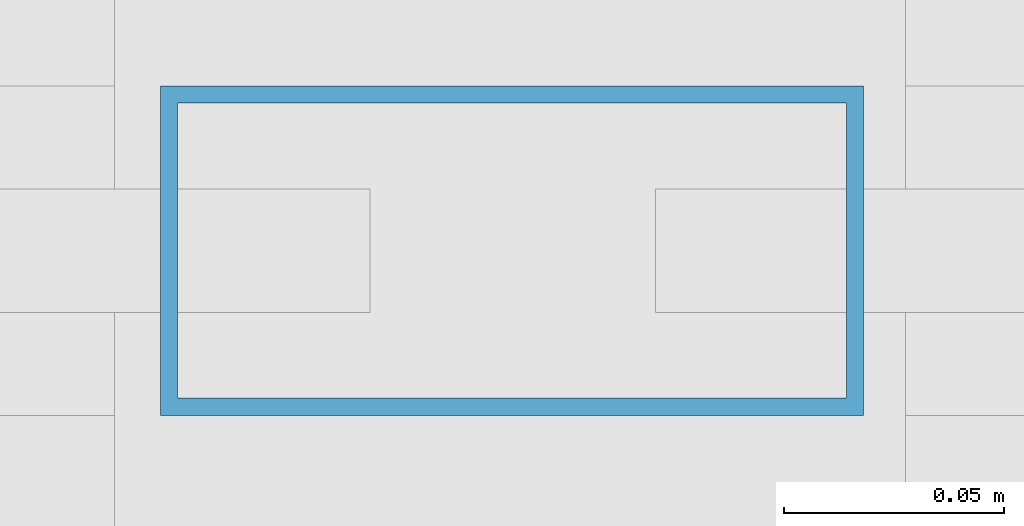
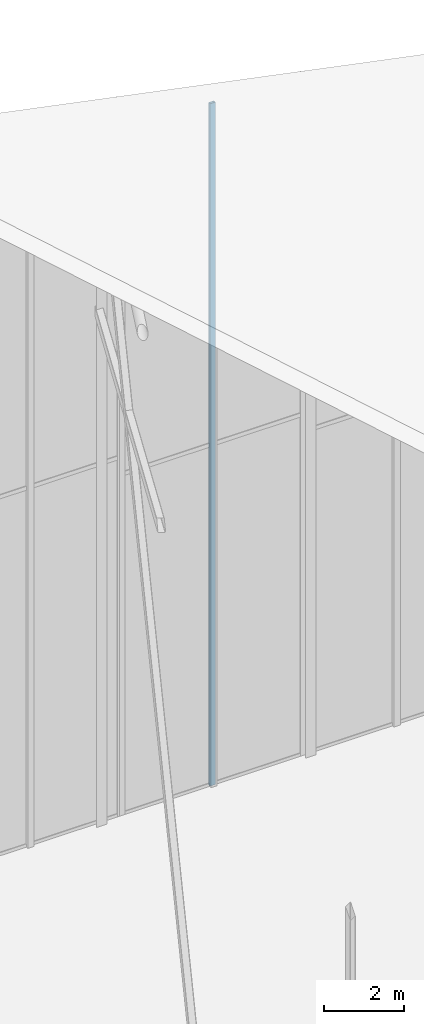
# One storey, part 50 of 74: 1 member, 1 element without a shape of its own.
"""IFC4 building model written with IfcOpenShell, lengths in metres."""

from ifc_helpers import new_model, si_unit, direction, frame, origin, origin_2d, place, context, subcontext, project, spatial, hollow_rectangle, extrude, material, layer, layer_set, material_profile, profile_set, type_object, element, aggregate, save


model = new_model("IFC4")

# Units and contexts
model_context = context("Model", 3, precision=1e-05, world=origin(), true_north=direction((0.0, 1.0)))
body_context = subcontext(model_context, "Body", "Model", "MODEL_VIEW")
ifc_project = project(units=[si_unit("LENGTHUNIT", "METRE"), si_unit("AREAUNIT", "SQUARE_METRE"), si_unit("VOLUMEUNIT", "CUBIC_METRE"), si_unit("PLANEANGLEUNIT", "RADIAN"), si_unit("MASSUNIT", "GRAM", prefix="KILO")], contexts=[model_context])

# Site, building, storey
site_placement = place(None, origin())
site = spatial("IfcSite", under=ifc_project, at=site_placement, CompositionType="ELEMENT")
building_placement = place(site_placement, origin())
building = spatial("IfcBuilding", under=site, at=building_placement, Name="Keshet Zoharim Tower", CompositionType="ELEMENT")
storey_placement = place(building_placement, frame((0.0, 0.0, 320.0)))
storey = spatial("IfcBuildingStorey", under=building, at=storey_placement, Name="RF", CompositionType="ELEMENT", Elevation=320.0)

# Curtain wall, member
ifc_material = material(Name="Aluminium 6063-T6", Category="aluminium")
ifc_layer = layer(ifc_material, 0.260009765625)
ifc_layer_set = layer_set([ifc_layer], Name="Aluminium 6063-T6")
curtain_wall_type = type_object("IfcCurtainWallType", Name="CW-SYS-06", PredefinedType="NOTDEFINED", material=ifc_layer_set)
curtain_wall_placement = place(storey_placement, origin())
curtain_wall = element("IfcCurtainWall", 1, at=curtain_wall_placement, inside=storey, type_object=curtain_wall_type, Name="Slanted Crown Curtain Wall 12", PredefinedType="NOTDEFINED")
ifc_material_profile = material_profile(ifc_material, hollow_rectangle(XDim=0.074951171875, YDim=0.159912109375, WallThickness=0.00390625, at=origin_2d()), Name="MUL-75x160")
ifc_profile_set = profile_set([ifc_material_profile], Name="Aluminium 6063-T6")
member_type = type_object("IfcMemberType", Name="CWM-M15", PredefinedType="MULLION", material=ifc_profile_set)
member_placement = place(storey_placement, frame((24.262451171875, 53.89990234375, 0.0), z_axis=(0.0, 0.0, 1.0), x_axis=(0.0, 1.0, 0.0)))
member = element("IfcMember", 2, at=member_placement, type_object=member_type, Name="CW-06 mullion 2", PredefinedType="MULLION", context=body_context, shape_type="SweptSolid", body=[
    extrude(hollow_rectangle(XDim=0.074951171875, YDim=0.159912109375, WallThickness=0.00390625, at=origin_2d()), origin(), (0.0, 0.0, 1.0), 20.718994140625),
])
aggregate(curtain_wall, [member])

save(model, "model.ifc")
